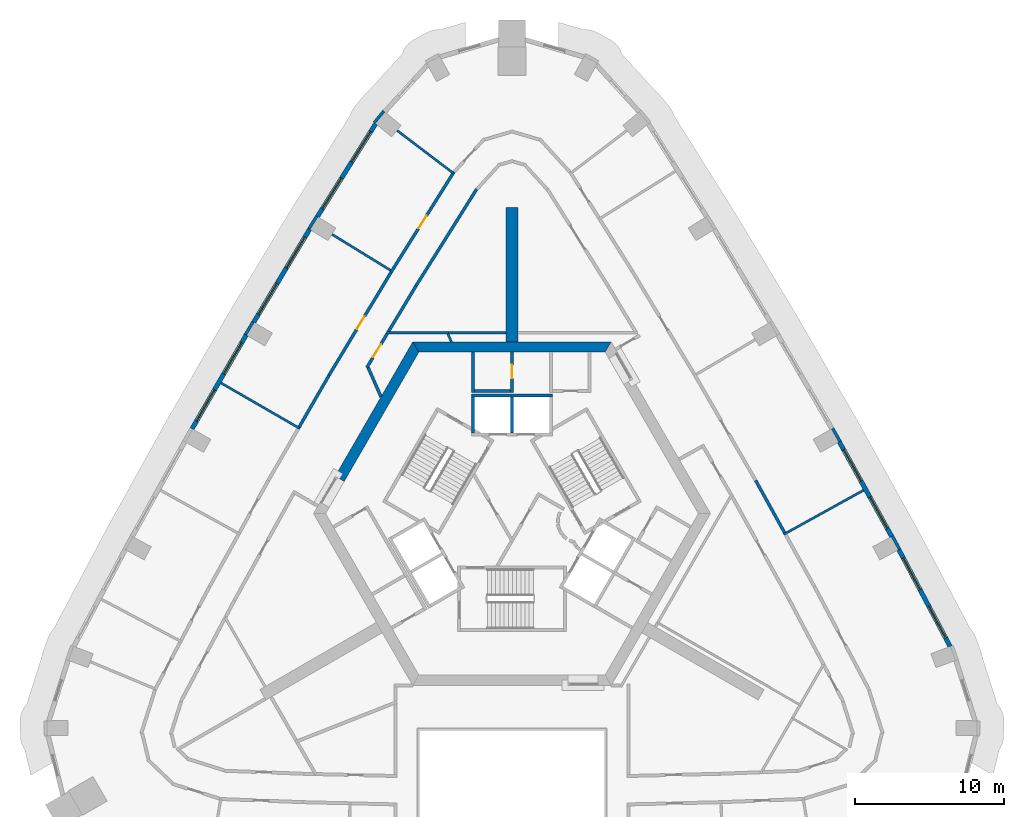
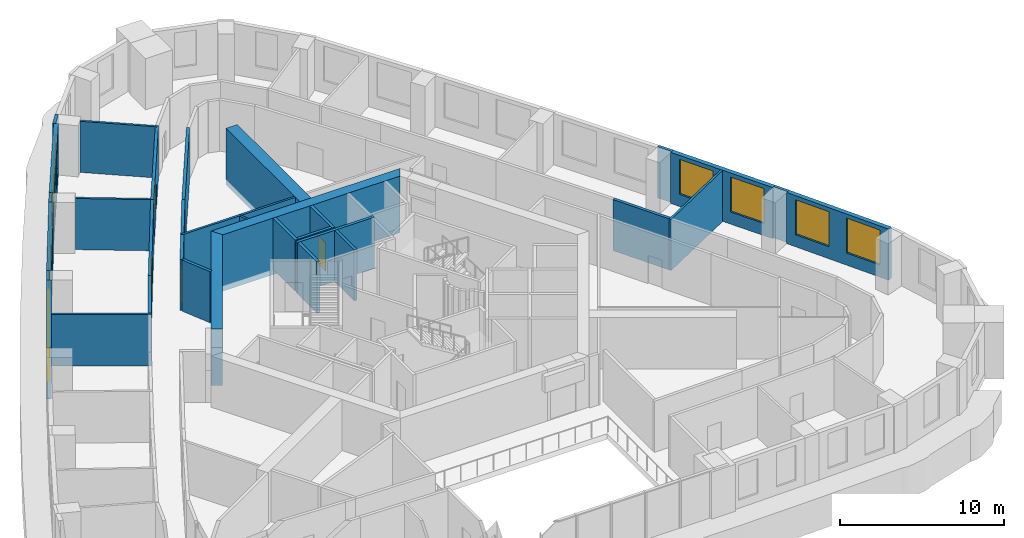
# One storey, part 8 of 13: 34 walls, 10 windows, 4 doors, 14 openings.
"""IFC4 building model written with IfcOpenShell, lengths in metres."""

from ifc_helpers import new_model, si_unit, direction, frame, frame_2d, origin, place, context, subcontext, project, spatial, polyline, rectangle, outline, extrude, material, layer, layer_set, type_object, element, fill, save


model = new_model("IFC4")

# Units and contexts
model_context = context("Model", 3, precision=1e-05, world=origin(), true_north=direction((0.0, 1.0)))
body_context = subcontext(model_context, "Body", "Model", "MODEL_VIEW")
ifc_project = project(units=[si_unit("LENGTHUNIT", "METRE"), si_unit("AREAUNIT", "SQUARE_METRE"), si_unit("VOLUMEUNIT", "CUBIC_METRE"), si_unit("PLANEANGLEUNIT", "RADIAN"), si_unit("MASSUNIT", "GRAM", prefix="KILO")], contexts=[model_context])

# Site, building, storey
site_placement = place(None, origin())
site = spatial("IfcSite", under=ifc_project, at=site_placement, CompositionType="ELEMENT")
building_placement = place(site_placement, origin())
building = spatial("IfcBuilding", under=site, at=building_placement, Name="Entoto Arch Interchange Tower", CompositionType="ELEMENT")
storey_placement = place(building_placement, frame((0.0, 0.0, 219.199951171875)))
storey = spatial("IfcBuildingStorey", under=building, at=storey_placement, Name="L49", CompositionType="ELEMENT", Elevation=219.199951171875)

# Walls
ifc_material_1 = material(Name="Concrete C50/60", Category="concrete")
ifc_layer_1 = layer(ifc_material_1, 0.800048828125)
ifc_layer_set_1 = layer_set([ifc_layer_1], Name="Concrete C50/60")
wall_type_1 = type_object("IfcWallType", Name="Buttress wall 800 C50/60", PredefinedType="SHEAR", material=ifc_layer_set_1)
wall_1_placement = place(storey_placement, frame((0.0, 14.0, -0.39990234375), z_axis=(0.0, 0.0, 1.0), x_axis=(0.0, 1.0, 0.0)))
element("IfcWall", 1, at=wall_1_placement, inside=storey, type_object=wall_type_1, Name="Buttress wall N L49", PredefinedType="SHEAR", context=body_context, shape_type="SweptSolid", body=[
    extrude(rectangle(XDim=9.0, YDim=0.800048828125, at=frame_2d((4.5, 0.0))), origin(), (0.0, 0.0, 1.0), 4.199951171875),
])
ifc_layer_2 = layer(ifc_material_1, 0.699951171875)
ifc_layer_set_2 = layer_set([ifc_layer_2], Name="Concrete C50/60")
wall_type_2 = type_object("IfcWallType", Name="Core wall 700 C50/60", PredefinedType="SHEAR", material=ifc_layer_set_2)
wall_2_placement = place(storey_placement, frame((0.0, 0.0, -0.39990234375)))
element("IfcWall", 2, at=wall_2_placement, inside=storey, type_object=wall_type_2, Name="Core wall N L49", PredefinedType="SHEAR", context=body_context, shape_type="SweptSolid", body=[
    extrude(outline(polyline([(6.639892578125, 14.0), (-6.639892578125, 14.0), (-6.235107421875, 13.300048828125), (6.235107421875, 13.300048828125), (6.639892578125, 14.0)])), origin(), (0.0, 0.0, 1.0), 4.199951171875),
])
wall_3_placement = place(storey_placement, frame((0.0, 0.0, -0.39990234375)))
element("IfcWall", 3, at=wall_3_placement, inside=storey, type_object=wall_type_2, Name="Core wall NW L49", PredefinedType="SHEAR", context=body_context, shape_type="SweptSolid", body=[
    extrude(outline(polyline([(-11.833984375, 5.001953125), (-11.22802734375, 4.652099609375), (-6.235107421875, 13.300048828125), (-6.639892578125, 14.0), (-11.833984375, 5.001953125)])), origin(), (0.0, 0.0, 1.0), 4.199951171875),
])
ifc_material_2 = material(Name="Concrete C40/50", Category="concrete")
ifc_layer_3 = layer(ifc_material_2, 0.199951171875)
ifc_layer_set_3 = layer_set([ifc_layer_3], Name="Concrete C40/50")
wall_type_3 = type_object("IfcWallType", Name="LIFT SHAFT WALL 200", PredefinedType="STANDARD", material=ifc_layer_set_3)
wall_4_placement = place(storey_placement, frame((2.699951171875, 10.39990234375, 0.0), z_axis=(0.0, 0.0, 1.0), x_axis=(-1.0, 0.0, 0.0)))
element("IfcWall", 4, at=wall_4_placement, inside=storey, type_object=wall_type_3, Name="Shaft wall N1 back", PredefinedType="STANDARD", context=body_context, shape_type="SweptSolid", body=[
    extrude(rectangle(XDim=5.39990234375, YDim=0.199951171875, at=frame_2d((2.699951171875, 0.0))), origin(), (0.0, 0.0, 1.0), 3.800048828125),
])
for number, where, z_axis, x_axis, name in (
    (5, (0.0, 7.89990234375, 0.0), (0.0, 0.0, 1.0), (0.0, 1.0, 0.0), "Shaft wall N1 cross 2"),
    (6, (-2.60009765625, 7.89990234375, 0.0), (0.0, 0.0, 1.0), (0.0, 1.0, 0.0), "Shaft wall N1 cross 3"),
):
    element("IfcWall", number, at=place(storey_placement, frame(where, z_axis=z_axis, x_axis=x_axis)), inside=storey, type_object=wall_type_3, Name=name, PredefinedType="STANDARD", context=body_context, shape_type="SweptSolid", body=[
        extrude(rectangle(XDim=2.400146484375, YDim=0.199951171875, at=frame_2d((1.2001953125, 0.0))), origin(), (0.0, 0.0, 1.0), 3.800048828125),
    ])
ifc_material_3 = material(Name="Gypsum board partition on steel studs", Category="steel")
ifc_layer_4 = layer(ifc_material_3, 0.14990234375)
ifc_layer_set_4 = layer_set([ifc_layer_4], Name="Gypsum board partition on steel studs")
wall_type_4 = type_object("IfcWallType", Name="PARTITION 150", PredefinedType="PARTITIONING", material=ifc_layer_set_4)
wall_5_placement = place(storey_placement, frame((-4.054931640625, 14.0, 0.0), z_axis=(0.0, 0.0, 1.0), x_axis=(-0.404850841056, 0.914382740703, 0.0)))
element("IfcWall", 7, at=wall_5_placement, inside=storey, type_object=wall_type_4, Name="wall:L49:p083", PredefinedType="PARTITIONING", context=body_context, shape_type="SweptSolid", body=[
    extrude(rectangle(XDim=0.580810546875, YDim=0.14990234375, at=frame_2d((0.29052734375, 0.0))), origin(), (0.0, 0.0, 1.0), 3.800048828125),
])
wall_6_placement = place(storey_placement, frame((-4.2451171875, 14.60009765625, 0.0), z_axis=(0.0, 0.0, 1.0), x_axis=(-1.0, 0.0, 0.0)))
element("IfcWall", 8, at=wall_6_placement, inside=storey, type_object=wall_type_4, Name="wall:L49:p085", PredefinedType="PARTITIONING", context=body_context, shape_type="SweptSolid", body=[
    extrude(rectangle(XDim=4.169921875, YDim=0.14990234375, at=frame_2d((2.0849609375, 0.0))), origin(), (0.0, 0.0, 1.0), 3.800048828125),
])
wall_7_placement = place(storey_placement, frame((18.18896484375, 1.111083984375, 0.0), z_axis=(0.0, 0.0, 1.0), x_axis=(0.874928335558, 0.484252421405, 0.0)))
element("IfcWall", 9, at=wall_7_placement, inside=storey, type_object=wall_type_4, Name="wall:L49:p119", PredefinedType="PARTITIONING", context=body_context, shape_type="SweptSolid", body=[
    extrude(rectangle(XDim=6.099853515625, YDim=0.14990234375, at=frame_2d((3.0498046875, 0.0))), origin(), (0.0, 0.0, 1.0), 3.800048828125),
])
wall_8_placement = place(storey_placement, frame((-3.93603515625, 25.285888671875, 0.0), z_axis=(0.0, 0.0, 1.0), x_axis=(-0.795977117067, 0.605326712698, 0.0)))
element("IfcWall", 10, at=wall_8_placement, inside=storey, type_object=wall_type_4, Name="wall:L49:p123", PredefinedType="PARTITIONING", context=body_context, shape_type="SweptSolid", body=[
    extrude(rectangle(XDim=4.70361328125, YDim=0.14990234375, at=frame_2d((2.351806640625, 0.0))), origin(), (0.0, 0.0, 1.0), 3.800048828125),
])
wall_9_placement = place(storey_placement, frame((-8.131103515625, 18.783935546875, 0.0), z_axis=(0.0, 0.0, 1.0), x_axis=(-0.851969320918, 0.52359170755, 0.0)))
element("IfcWall", 11, at=wall_9_placement, inside=storey, type_object=wall_type_4, Name="wall:L49:p124", PredefinedType="PARTITIONING", context=body_context, shape_type="SweptSolid", body=[
    extrude(rectangle(XDim=4.579833984375, YDim=0.14990234375, at=frame_2d((2.2900390625, 0.0))), origin(), (0.0, 0.0, 1.0), 3.800048828125),
])
wall_10_placement = place(storey_placement, frame((-14.18701171875, 8.18994140625, 0.0), z_axis=(0.0, 0.0, 1.0), x_axis=(-0.865990270311, 0.500060848024, 0.0)))
element("IfcWall", 12, at=wall_10_placement, inside=storey, type_object=wall_type_4, Name="wall:L49:p125", PredefinedType="PARTITIONING", context=body_context, shape_type="SweptSolid", body=[
    extrude(rectangle(XDim=6.099365234375, YDim=0.14990234375, at=frame_2d((3.0498046875, 0.0))), origin(), (0.0, 0.0, 1.0), 3.800048828125),
])
wall_11_placement = place(storey_placement, frame((-0.39990234375, 14.60009765625, 0.0), z_axis=(0.0, 0.0, 1.0), x_axis=(-1.0, 0.0, 0.0)))
element("IfcWall", 13, at=wall_11_placement, inside=storey, type_object=wall_type_4, Name="wall:L49:p084", PredefinedType="PARTITIONING", context=body_context, shape_type="SweptSolid", body=[
    extrude(rectangle(XDim=3.84521484375, YDim=0.14990234375, at=frame_2d((1.922607421875, 0.0))), origin(), (0.0, 0.0, 1.0), 3.800048828125),
])

# Wall, opening, door
ifc_layer_5 = layer(ifc_material_3, 0.199951171875)
ifc_layer_set_5 = layer_set([ifc_layer_5], Name="Gypsum board partition on steel studs")
wall_type_5 = type_object("IfcWallType", Name="PARTITION 200", PredefinedType="PARTITIONING", material=ifc_layer_set_5)
wall_12_placement = place(storey_placement, frame((-8.35302734375, 14.535888671875, 0.0), z_axis=(0.0, 0.0, 1.0), x_axis=(-0.515636196259, -0.856807628997, 0.0)))
wall_12 = element("IfcWall", 14, at=wall_12_placement, inside=storey, type_object=wall_type_5, Name="wall:L49:p002", PredefinedType="PARTITIONING", context=body_context, shape_type="SweptSolid", body=[
    extrude(rectangle(XDim=2.643310546875, YDim=0.199951171875, at=frame_2d((1.32177734375, 0.0))), origin(), (0.0, 0.0, 1.0), 3.800048828125),
])
opening_1_placement = place(wall_12_placement, frame((0.822021484375, 0.0, 0.0)))
opening_1 = element("IfcOpeningElement", 15, at=opening_1_placement, cuts=wall_12, Name="Opening L49-D26", PredefinedType="OPENING", context=body_context, shape_type="SweptSolid", body=[
    extrude(rectangle(XDim=1.0, YDim=2.10009765625, at=frame_2d((0.5, 1.050048828125))), frame((0.0, 0.10986328125, 0.0), z_axis=(0.0, -1.0, 0.0), x_axis=(1.0, 0.0, 0.0)), (0.0, 0.0, 1.0), 0.219970703125),
])
ifc_material_4 = material(Name="Timber door leaf in Steel S235 frame", Category="steel")
door_type_1 = type_object("IfcDoorType", Name="DOOR DS-10 1000x2100", OperationType="SINGLE_SWING_LEFT", PredefinedType="DOOR", material=ifc_material_4)
door_1_placement = place(opening_1_placement, origin())
door_1 = element("IfcDoor", 16, at=door_1_placement, inside=storey, type_object=door_type_1, Name="door:L49:26", OperationType="SINGLE_SWING_LEFT", OverallHeight=2.10009765625, OverallWidth=1.0, PredefinedType="DOOR", context=body_context, shape_type="SweptSolid", body=[
    extrude(rectangle(XDim=1.0, YDim=2.10009765625, at=frame_2d((0.5, 1.050048828125))), frame((0.0, 0.02490234375, 0.0), z_axis=(0.0, -1.0, 0.0), x_axis=(1.0, 0.0, 0.0)), (0.0, 0.0, 1.0), 0.050048828125),
])
fill(opening_1, door_1)

# Walls
wall_13_placement = place(storey_placement, frame((-9.6240234375, 12.264892578125, 0.0), z_axis=(0.0, 0.0, 1.0), x_axis=(0.404081180606, -0.914723127225, 0.0)))
element("IfcWall", 17, at=wall_13_placement, inside=storey, type_object=wall_type_5, Name="wall:L49:p003", PredefinedType="PARTITIONING", context=body_context, shape_type="SweptSolid", body=[
    extrude(rectangle(XDim=2.126220703125, YDim=0.199951171875, at=frame_2d((1.06298828125, 0.0))), origin(), (0.0, 0.0, 1.0), 3.800048828125),
])
wall_14_placement = place(storey_placement, frame((-2.364013671875, 24.216064453125, 0.0), z_axis=(0.0, 0.0, 1.0), x_axis=(-0.531335643981, -0.847161397512, 0.0)))
element("IfcWall", 18, at=wall_14_placement, inside=storey, type_object=wall_type_5, Name="wall:L49:p012", PredefinedType="PARTITIONING", context=body_context, shape_type="SweptSolid", body=[
    extrude(rectangle(XDim=7.646728515625, YDim=0.199951171875, at=frame_2d((3.8232421875, 0.0))), origin(), (0.0, 0.0, 1.0), 3.800048828125),
])
wall_15_placement = place(storey_placement, frame((-6.427001953125, 17.738037109375, 0.0), z_axis=(0.0, 0.0, 1.0), x_axis=(-0.515416266777, -0.85693994652, 0.0)))
element("IfcWall", 19, at=wall_15_placement, inside=storey, type_object=wall_type_5, Name="wall:L49:p013", PredefinedType="PARTITIONING", context=body_context, shape_type="SweptSolid", body=[
    extrude(rectangle(XDim=3.587158203125, YDim=0.199951171875, at=frame_2d((1.79345703125, 0.0))), origin(), (0.0, 0.0, 1.0), 3.800048828125),
])
wall_16_placement = place(storey_placement, frame((16.305908203125, 4.718017578125, 0.0), z_axis=(0.0, 0.0, 1.0), x_axis=(0.484411997038, -0.874839995156, 0.0)))
element("IfcWall", 20, at=wall_16_placement, inside=storey, type_object=wall_type_5, Name="wall:L49:p044", PredefinedType="PARTITIONING", context=body_context, shape_type="SweptSolid", body=[
    extrude(rectangle(XDim=3.99267578125, YDim=0.199951171875, at=frame_2d((1.996337890625, 0.0))), origin(), (0.0, 0.0, 1.0), 3.800048828125),
])

# Wall, opening, door
wall_17_placement = place(storey_placement, frame((-8.0859375, 18.6689453125, 0.0), z_axis=(0.0, 0.0, 1.0), x_axis=(0.531329962263, 0.847164961033, 0.0)))
wall_17 = element("IfcWall", 21, at=wall_17_placement, inside=storey, type_object=wall_type_5, Name="wall:L49:p052", PredefinedType="PARTITIONING", context=body_context, shape_type="SweptSolid", body=[
    extrude(rectangle(XDim=7.91015625, YDim=0.199951171875, at=frame_2d((3.955078125, 0.0))), origin(), (0.0, 0.0, 1.0), 3.800048828125),
])
opening_2_placement = place(wall_17_placement, frame((3.455078125, 0.0, 0.0)))
opening_2 = element("IfcOpeningElement", 22, at=opening_2_placement, cuts=wall_17, Name="Opening L49-D08", PredefinedType="OPENING", context=body_context, shape_type="SweptSolid", body=[
    extrude(rectangle(XDim=1.0, YDim=2.10009765625, at=frame_2d((0.5, 1.050048828125))), frame((0.0, 0.10986328125, 0.0), z_axis=(0.0, -1.0, 0.0), x_axis=(1.0, 0.0, 0.0)), (0.0, 0.0, 1.0), 0.219970703125),
])
door_2_placement = place(opening_2_placement, origin())
door_2 = element("IfcDoor", 23, at=door_2_placement, inside=storey, type_object=door_type_1, Name="door:L49:08", OperationType="SINGLE_SWING_RIGHT", OverallHeight=2.10009765625, OverallWidth=1.0, PredefinedType="DOOR", context=body_context, shape_type="SweptSolid", body=[
    extrude(rectangle(XDim=1.0, YDim=2.10009765625, at=frame_2d((0.5, 1.050048828125))), frame((0.0, 0.02490234375, 0.0), z_axis=(0.0, -1.0, 0.0), x_axis=(1.0, 0.0, 0.0)), (0.0, 0.0, 1.0), 0.050048828125),
])
fill(opening_2, door_2)

# Wall
wall_18_placement = place(storey_placement, frame((-14.236083984375, 8.304931640625, 0.0), z_axis=(0.0, 0.0, 1.0), x_axis=(0.500110539333, 0.865961574464, 0.0)))
element("IfcWall", 24, at=wall_18_placement, inside=storey, type_object=wall_type_5, Name="wall:L49:p053", PredefinedType="PARTITIONING", context=body_context, shape_type="SweptSolid", body=[
    extrude(rectangle(XDim=3.9931640625, YDim=0.199951171875, at=frame_2d((1.99658203125, 0.0))), origin(), (0.0, 0.0, 1.0), 3.800048828125),
])

# Wall, opening, door
wall_19_placement = place(storey_placement, frame((-12.239013671875, 11.762939453125, 0.0), z_axis=(0.0, 0.0, 1.0), x_axis=(0.515591302858, 0.856834644734, 0.0)))
wall_19 = element("IfcWall", 25, at=wall_19_placement, inside=storey, type_object=wall_type_5, Name="wall:L49:p054", PredefinedType="PARTITIONING", context=body_context, shape_type="SweptSolid", body=[
    extrude(rectangle(XDim=8.058837890625, YDim=0.199951171875, at=frame_2d((4.029296875, 0.0))), origin(), (0.0, 0.0, 1.0), 3.800048828125),
])
opening_3_placement = place(wall_19_placement, frame((3.60400390625, 0.0, 0.0)))
opening_3 = element("IfcOpeningElement", 26, at=opening_3_placement, cuts=wall_19, Name="Opening L49-D09", PredefinedType="OPENING", context=body_context, shape_type="SweptSolid", body=[
    extrude(rectangle(XDim=1.0, YDim=2.10009765625, at=frame_2d((0.5, 1.050048828125))), frame((0.0, 0.10986328125, 0.0), z_axis=(0.0, -1.0, 0.0), x_axis=(1.0, 0.0, 0.0)), (0.0, 0.0, 1.0), 0.219970703125),
])
door_3_placement = place(opening_3_placement, origin())
door_3 = element("IfcDoor", 27, at=door_3_placement, inside=storey, type_object=door_type_1, Name="door:L49:09", OperationType="SINGLE_SWING_RIGHT", OverallHeight=2.10009765625, OverallWidth=1.0, PredefinedType="DOOR", context=body_context, shape_type="SweptSolid", body=[
    extrude(rectangle(XDim=1.0, YDim=2.10009765625, at=frame_2d((0.5, 1.050048828125))), frame((0.0, 0.02490234375, 0.0), z_axis=(0.0, -1.0, 0.0), x_axis=(1.0, 0.0, 0.0)), (0.0, 0.0, 1.0), 0.050048828125),
])
fill(opening_3, door_3)

wall_20_placement = place(storey_placement, frame((0.0, 13.300048828125, 0.0), z_axis=(0.0, 0.0, 1.0), x_axis=(0.0, -1.0, 0.0)))
wall_20 = element("IfcWall", 28, at=wall_20_placement, inside=storey, type_object=wall_type_5, Name="wall:L49:p070", PredefinedType="PARTITIONING", context=body_context, shape_type="SweptSolid", body=[
    extrude(rectangle(XDim=2.699951171875, YDim=0.199951171875, at=frame_2d((1.35009765625, 0.0))), origin(), (0.0, 0.0, 1.0), 3.800048828125),
])
opening_4_placement = place(wall_20_placement, frame((0.85009765625, 0.0, 0.0)))
opening_4 = element("IfcOpeningElement", 29, at=opening_4_placement, cuts=wall_20, Name="Opening L49-D31", PredefinedType="OPENING", context=body_context, shape_type="SweptSolid", body=[
    extrude(rectangle(XDim=0.89990234375, YDim=2.10009765625, at=frame_2d((0.449951171875, 1.050048828125))), frame((0.0, 0.10986328125, 0.0), z_axis=(0.0, -1.0, 0.0), x_axis=(1.0, 0.0, 0.0)), (0.0, 0.0, 1.0), 0.219970703125),
])
door_type_2 = type_object("IfcDoorType", Name="DOOR DS-09 900x2100", OperationType="SINGLE_SWING_LEFT", PredefinedType="DOOR", material=ifc_material_4)
door_4_placement = place(opening_4_placement, origin())
door_4 = element("IfcDoor", 30, at=door_4_placement, inside=storey, type_object=door_type_2, Name="door:L49:31", OperationType="SINGLE_SWING_RIGHT", OverallHeight=2.10009765625, OverallWidth=0.89990234375, PredefinedType="DOOR", context=body_context, shape_type="SweptSolid", body=[
    extrude(rectangle(XDim=0.89990234375, YDim=2.10009765625, at=frame_2d((0.449951171875, 1.050048828125))), frame((0.0, 0.02490234375, 0.0), z_axis=(0.0, -1.0, 0.0), x_axis=(1.0, 0.0, 0.0)), (0.0, 0.0, 1.0), 0.050048828125),
])
fill(opening_4, door_4)

# Walls
wall_21_placement = place(storey_placement, frame((-0.10009765625, 10.699951171875, 0.0), z_axis=(0.0, 0.0, 1.0), x_axis=(-1.0, 0.0, 0.0)))
element("IfcWall", 31, at=wall_21_placement, inside=storey, type_object=wall_type_5, Name="wall:L49:p071", PredefinedType="PARTITIONING", context=body_context, shape_type="SweptSolid", body=[
    extrude(rectangle(XDim=2.39990234375, YDim=0.199951171875, at=frame_2d((1.199951171875, 0.0))), origin(), (0.0, 0.0, 1.0), 3.800048828125),
])
wall_22_placement = place(storey_placement, frame((-2.60009765625, 10.60009765625, 0.0), z_axis=(0.0, 0.0, 1.0), x_axis=(0.0, 1.0, 0.0)))
element("IfcWall", 32, at=wall_22_placement, inside=storey, type_object=wall_type_5, Name="wall:L49:p072", PredefinedType="PARTITIONING", context=body_context, shape_type="SweptSolid", body=[
    extrude(rectangle(XDim=2.699951171875, YDim=0.199951171875, at=frame_2d((1.35009765625, 0.0))), origin(), (0.0, 0.0, 1.0), 3.800048828125),
])

# Wall, openings, windows
ifc_material_5 = material(Name="Welded tuff (ignimbrite) cladding, warm buff", Category="masonry")
ifc_layer_6 = layer(ifc_material_5, 0.300048828125)
ifc_layer_set_6 = layer_set([ifc_layer_6], Name="Welded tuff (ignimbrite) cladding, warm buff")
wall_type_6 = type_object("IfcWallType", Name="STONE INFILL WALL 300", PredefinedType="STANDARD", material=ifc_layer_set_6)
wall_23_placement = place(storey_placement, frame((29.322021484375, -6.39599609375, 0.0), z_axis=(0.0, 0.0, 1.0), x_axis=(-0.468020680141, 0.8837175131, 0.0)))
wall_23 = element("IfcWall", 33, at=wall_23_placement, inside=storey, type_object=wall_type_6, Name="Facade wall NE-01 L49", PredefinedType="STANDARD", context=body_context, shape_type="SweptSolid", body=[
    extrude(rectangle(XDim=7.339599609375, YDim=0.300048828125, at=frame_2d((3.669921875, 0.0))), origin(), (0.0, 0.0, 1.0), 3.800048828125),
])
opening_5_placement = place(wall_23_placement, frame((0.635009765625, 0.0, 0.89990234375)))
opening_5 = element("IfcOpeningElement", 34, at=opening_5_placement, cuts=wall_23, Name="Opening WO-A", PredefinedType="OPENING", context=body_context, shape_type="SweptSolid", body=[
    extrude(rectangle(XDim=2.39990234375, YDim=2.60009765625, at=frame_2d((1.199951171875, 1.300048828125))), frame((0.0, 0.16015625, 0.0), z_axis=(0.0, -1.0, 0.0), x_axis=(1.0, 0.0, 0.0)), (0.0, 0.0, 1.0), 0.320068359375),
])
opening_6_placement = place(wall_23_placement, frame((4.304931640625, 0.0, 0.89990234375)))
opening_6 = element("IfcOpeningElement", 35, at=opening_6_placement, cuts=wall_23, Name="Opening WO-A", PredefinedType="OPENING", context=body_context, shape_type="SweptSolid", body=[
    extrude(rectangle(XDim=2.39990234375, YDim=2.60009765625, at=frame_2d((1.199951171875, 1.300048828125))), frame((0.0, 0.16015625, 0.0), z_axis=(0.0, -1.0, 0.0), x_axis=(1.0, 0.0, 0.0)), (0.0, 0.0, 1.0), 0.320068359375),
])
ifc_material_6 = material(Name="Clear glass, low-e double glazed", Category="glass")
window_type = type_object("IfcWindowType", Name="WINDOW WO-A 2400x2600", PartitioningType="DOUBLE_PANEL_VERTICAL", PredefinedType="WINDOW", material=ifc_material_6)
window_1_placement = place(opening_5_placement, origin())
window_1 = element("IfcWindow", 36, at=window_1_placement, inside=storey, type_object=window_type, Name="Window WO-A NE-01 L49", OverallHeight=2.60009765625, OverallWidth=2.39990234375, PartitioningType="SINGLE_PANEL", PredefinedType="WINDOW", context=body_context, shape_type="SweptSolid", body=[
    extrude(rectangle(XDim=2.39990234375, YDim=2.60009765625, at=frame_2d((1.199951171875, 1.300048828125))), frame((0.0, 0.030029296875, 0.0), z_axis=(0.0, -1.0, 0.0), x_axis=(1.0, 0.0, 0.0)), (0.0, 0.0, 1.0), 0.06005859375),
])
fill(opening_5, window_1)
window_2_placement = place(opening_6_placement, origin())
window_2 = element("IfcWindow", 37, at=window_2_placement, inside=storey, type_object=window_type, Name="Window WO-A NE-01 L49", OverallHeight=2.60009765625, OverallWidth=2.39990234375, PartitioningType="SINGLE_PANEL", PredefinedType="WINDOW", context=body_context, shape_type="SweptSolid", body=[
    extrude(rectangle(XDim=2.39990234375, YDim=2.60009765625, at=frame_2d((1.199951171875, 1.300048828125))), frame((0.0, 0.030029296875, 0.0), z_axis=(0.0, -1.0, 0.0), x_axis=(1.0, 0.0, 0.0)), (0.0, 0.0, 1.0), 0.06005859375),
])
fill(opening_6, window_2)

wall_24_placement = place(storey_placement, frame((25.410888671875, 0.968017578125, 0.0), z_axis=(0.0, 0.0, 1.0), x_axis=(-0.484163461668, 0.87497756679, 0.0)))
wall_24 = element("IfcWall", 38, at=wall_24_placement, inside=storey, type_object=wall_type_6, Name="Facade wall NE-02 L49", PredefinedType="STANDARD", context=body_context, shape_type="SweptSolid", body=[
    extrude(rectangle(XDim=7.2470703125, YDim=0.300048828125, at=frame_2d((3.62353515625, 0.0))), origin(), (0.0, 0.0, 1.0), 3.800048828125),
])
opening_7_placement = place(wall_24_placement, frame((0.612060546875, 0.0, 0.89990234375)))
opening_7 = element("IfcOpeningElement", 39, at=opening_7_placement, cuts=wall_24, Name="Opening WO-A", PredefinedType="OPENING", context=body_context, shape_type="SweptSolid", body=[
    extrude(rectangle(XDim=2.39990234375, YDim=2.60009765625, at=frame_2d((1.199951171875, 1.300048828125))), frame((0.0, 0.16015625, 0.0), z_axis=(0.0, -1.0, 0.0), x_axis=(1.0, 0.0, 0.0)), (0.0, 0.0, 1.0), 0.320068359375),
])
opening_8_placement = place(wall_24_placement, frame((4.235107421875, 0.0, 0.89990234375)))
opening_8 = element("IfcOpeningElement", 40, at=opening_8_placement, cuts=wall_24, Name="Opening WO-A", PredefinedType="OPENING", context=body_context, shape_type="SweptSolid", body=[
    extrude(rectangle(XDim=2.39990234375, YDim=2.60009765625, at=frame_2d((1.199951171875, 1.300048828125))), frame((0.0, 0.16015625, 0.0), z_axis=(0.0, -1.0, 0.0), x_axis=(1.0, 0.0, 0.0)), (0.0, 0.0, 1.0), 0.320068359375),
])
window_3_placement = place(opening_7_placement, origin())
window_3 = element("IfcWindow", 41, at=window_3_placement, inside=storey, type_object=window_type, Name="Window WO-A NE-02 L49", OverallHeight=2.60009765625, OverallWidth=2.39990234375, PartitioningType="SINGLE_PANEL", PredefinedType="WINDOW", context=body_context, shape_type="SweptSolid", body=[
    extrude(rectangle(XDim=2.39990234375, YDim=2.60009765625, at=frame_2d((1.199951171875, 1.300048828125))), frame((0.0, 0.030029296875, 0.0), z_axis=(0.0, -1.0, 0.0), x_axis=(1.0, 0.0, 0.0)), (0.0, 0.0, 1.0), 0.06005859375),
])
fill(opening_7, window_3)
window_4_placement = place(opening_8_placement, origin())
window_4 = element("IfcWindow", 42, at=window_4_placement, inside=storey, type_object=window_type, Name="Window WO-A NE-02 L49", OverallHeight=2.60009765625, OverallWidth=2.39990234375, PartitioningType="SINGLE_PANEL", PredefinedType="WINDOW", context=body_context, shape_type="SweptSolid", body=[
    extrude(rectangle(XDim=2.39990234375, YDim=2.60009765625, at=frame_2d((1.199951171875, 1.300048828125))), frame((0.0, 0.030029296875, 0.0), z_axis=(0.0, -1.0, 0.0), x_axis=(1.0, 0.0, 0.0)), (0.0, 0.0, 1.0), 0.06005859375),
])
fill(opening_8, window_4)

wall_25_placement = place(storey_placement, frame((-9.1220703125, 28.592041015625, 0.0), z_axis=(0.0, 0.0, 1.0), x_axis=(-0.531239262679, -0.847221839773, 0.0)))
wall_25 = element("IfcWall", 43, at=wall_25_placement, inside=storey, type_object=wall_type_6, Name="Facade wall NW-01 L49", PredefinedType="STANDARD", context=body_context, shape_type="SweptSolid", body=[
    extrude(rectangle(XDim=7.33935546875, YDim=0.300048828125, at=frame_2d((3.669677734375, 0.0))), origin(), (0.0, 0.0, 1.0), 3.800048828125),
])
opening_9_placement = place(wall_25_placement, frame((0.635009765625, 0.0, 0.89990234375)))
opening_9 = element("IfcOpeningElement", 44, at=opening_9_placement, cuts=wall_25, Name="Opening WO-A", PredefinedType="OPENING", context=body_context, shape_type="SweptSolid", body=[
    extrude(rectangle(XDim=2.39990234375, YDim=2.60009765625, at=frame_2d((1.199951171875, 1.300048828125))), frame((0.0, 0.16015625, 0.0), z_axis=(0.0, -1.0, 0.0), x_axis=(1.0, 0.0, 0.0)), (0.0, 0.0, 1.0), 0.320068359375),
])
opening_10_placement = place(wall_25_placement, frame((4.303955078125, 0.0, 0.89990234375)))
opening_10 = element("IfcOpeningElement", 45, at=opening_10_placement, cuts=wall_25, Name="Opening WO-A", PredefinedType="OPENING", context=body_context, shape_type="SweptSolid", body=[
    extrude(rectangle(XDim=2.39990234375, YDim=2.60009765625, at=frame_2d((1.199951171875, 1.300048828125))), frame((0.0, 0.16015625, 0.0), z_axis=(0.0, -1.0, 0.0), x_axis=(1.0, 0.0, 0.0)), (0.0, 0.0, 1.0), 0.320068359375),
])
window_5_placement = place(opening_9_placement, origin())
window_5 = element("IfcWindow", 46, at=window_5_placement, inside=storey, type_object=window_type, Name="Window WO-A NW-01 L49", OverallHeight=2.60009765625, OverallWidth=2.39990234375, PartitioningType="SINGLE_PANEL", PredefinedType="WINDOW", context=body_context, shape_type="SweptSolid", body=[
    extrude(rectangle(XDim=2.39990234375, YDim=2.60009765625, at=frame_2d((1.199951171875, 1.300048828125))), frame((0.0, 0.030029296875, 0.0), z_axis=(0.0, -1.0, 0.0), x_axis=(1.0, 0.0, 0.0)), (0.0, 0.0, 1.0), 0.06005859375),
])
fill(opening_9, window_5)
window_6_placement = place(opening_10_placement, origin())
window_6 = element("IfcWindow", 47, at=window_6_placement, inside=storey, type_object=window_type, Name="Window WO-A NW-01 L49", OverallHeight=2.60009765625, OverallWidth=2.39990234375, PartitioningType="SINGLE_PANEL", PredefinedType="WINDOW", context=body_context, shape_type="SweptSolid", body=[
    extrude(rectangle(XDim=2.39990234375, YDim=2.60009765625, at=frame_2d((1.199951171875, 1.300048828125))), frame((0.0, 0.030029296875, 0.0), z_axis=(0.0, -1.0, 0.0), x_axis=(1.0, 0.0, 0.0)), (0.0, 0.0, 1.0), 0.06005859375),
])
fill(opening_10, window_6)

wall_26_placement = place(storey_placement, frame((-13.5439453125, 21.52392578125, 0.0), z_axis=(0.0, 0.0, 1.0), x_axis=(-0.515560283412, -0.856853309597, 0.0)))
wall_26 = element("IfcWall", 48, at=wall_26_placement, inside=storey, type_object=wall_type_6, Name="Facade wall NW-02 L49", PredefinedType="STANDARD", context=body_context, shape_type="SweptSolid", body=[
    extrude(rectangle(XDim=7.24853515625, YDim=0.300048828125, at=frame_2d((3.624267578125, 0.0))), origin(), (0.0, 0.0, 1.0), 3.800048828125),
])
opening_11_placement = place(wall_26_placement, frame((0.612060546875, 0.0, 0.89990234375)))
opening_11 = element("IfcOpeningElement", 49, at=opening_11_placement, cuts=wall_26, Name="Opening WO-A", PredefinedType="OPENING", context=body_context, shape_type="SweptSolid", body=[
    extrude(rectangle(XDim=2.39990234375, YDim=2.60009765625, at=frame_2d((1.199951171875, 1.300048828125))), frame((0.0, 0.16015625, 0.0), z_axis=(0.0, -1.0, 0.0), x_axis=(1.0, 0.0, 0.0)), (0.0, 0.0, 1.0), 0.320068359375),
])
opening_12_placement = place(wall_26_placement, frame((4.236083984375, 0.0, 0.89990234375)))
opening_12 = element("IfcOpeningElement", 50, at=opening_12_placement, cuts=wall_26, Name="Opening WO-A", PredefinedType="OPENING", context=body_context, shape_type="SweptSolid", body=[
    extrude(rectangle(XDim=2.39990234375, YDim=2.60009765625, at=frame_2d((1.199951171875, 1.300048828125))), frame((0.0, 0.16015625, 0.0), z_axis=(0.0, -1.0, 0.0), x_axis=(1.0, 0.0, 0.0)), (0.0, 0.0, 1.0), 0.320068359375),
])
window_7_placement = place(opening_11_placement, origin())
window_7 = element("IfcWindow", 51, at=window_7_placement, inside=storey, type_object=window_type, Name="Window WO-A NW-02 L49", OverallHeight=2.60009765625, OverallWidth=2.39990234375, PartitioningType="SINGLE_PANEL", PredefinedType="WINDOW", context=body_context, shape_type="SweptSolid", body=[
    extrude(rectangle(XDim=2.39990234375, YDim=2.60009765625, at=frame_2d((1.199951171875, 1.300048828125))), frame((0.0, 0.030029296875, 0.0), z_axis=(0.0, -1.0, 0.0), x_axis=(1.0, 0.0, 0.0)), (0.0, 0.0, 1.0), 0.06005859375),
])
fill(opening_11, window_7)
window_8_placement = place(opening_12_placement, origin())
window_8 = element("IfcWindow", 52, at=window_8_placement, inside=storey, type_object=window_type, Name="Window WO-A NW-02 L49", OverallHeight=2.60009765625, OverallWidth=2.39990234375, PartitioningType="SINGLE_PANEL", PredefinedType="WINDOW", context=body_context, shape_type="SweptSolid", body=[
    extrude(rectangle(XDim=2.39990234375, YDim=2.60009765625, at=frame_2d((1.199951171875, 1.300048828125))), frame((0.0, 0.030029296875, 0.0), z_axis=(0.0, -1.0, 0.0), x_axis=(1.0, 0.0, 0.0)), (0.0, 0.0, 1.0), 0.06005859375),
])
fill(opening_12, window_8)

wall_27_placement = place(storey_placement, frame((-17.787109375, 14.4541015625, 0.0), z_axis=(0.0, 0.0, 1.0), x_axis=(-0.499968351115, -0.866043675505, 0.0)))
wall_27 = element("IfcWall", 53, at=wall_27_placement, inside=storey, type_object=wall_type_6, Name="Facade wall NW-03 L49", PredefinedType="STANDARD", context=body_context, shape_type="SweptSolid", body=[
    extrude(rectangle(XDim=7.248046875, YDim=0.300048828125, at=frame_2d((3.6240234375, 0.0))), origin(), (0.0, 0.0, 1.0), 3.800048828125),
])
opening_13_placement = place(wall_27_placement, frame((0.612060546875, 0.0, 0.89990234375)))
opening_13 = element("IfcOpeningElement", 54, at=opening_13_placement, cuts=wall_27, Name="Opening WO-A", PredefinedType="OPENING", context=body_context, shape_type="SweptSolid", body=[
    extrude(rectangle(XDim=2.39990234375, YDim=2.60009765625, at=frame_2d((1.199951171875, 1.300048828125))), frame((0.0, 0.16015625, 0.0), z_axis=(0.0, -1.0, 0.0), x_axis=(1.0, 0.0, 0.0)), (0.0, 0.0, 1.0), 0.320068359375),
])
opening_14_placement = place(wall_27_placement, frame((4.236083984375, 0.0, 0.89990234375)))
opening_14 = element("IfcOpeningElement", 55, at=opening_14_placement, cuts=wall_27, Name="Opening WO-A", PredefinedType="OPENING", context=body_context, shape_type="SweptSolid", body=[
    extrude(rectangle(XDim=2.39990234375, YDim=2.60009765625, at=frame_2d((1.199951171875, 1.300048828125))), frame((0.0, 0.16015625, 0.0), z_axis=(0.0, -1.0, 0.0), x_axis=(1.0, 0.0, 0.0)), (0.0, 0.0, 1.0), 0.320068359375),
])
window_9_placement = place(opening_13_placement, origin())
window_9 = element("IfcWindow", 56, at=window_9_placement, inside=storey, type_object=window_type, Name="Window WO-A NW-03 L49", OverallHeight=2.60009765625, OverallWidth=2.39990234375, PartitioningType="SINGLE_PANEL", PredefinedType="WINDOW", context=body_context, shape_type="SweptSolid", body=[
    extrude(rectangle(XDim=2.39990234375, YDim=2.60009765625, at=frame_2d((1.199951171875, 1.300048828125))), frame((0.0, 0.030029296875, 0.0), z_axis=(0.0, -1.0, 0.0), x_axis=(1.0, 0.0, 0.0)), (0.0, 0.0, 1.0), 0.06005859375),
])
fill(opening_13, window_9)
window_10_placement = place(opening_14_placement, origin())
window_10 = element("IfcWindow", 57, at=window_10_placement, inside=storey, type_object=window_type, Name="Window WO-A NW-03 L49", OverallHeight=2.60009765625, OverallWidth=2.39990234375, PartitioningType="SINGLE_PANEL", PredefinedType="WINDOW", context=body_context, shape_type="SweptSolid", body=[
    extrude(rectangle(XDim=2.39990234375, YDim=2.60009765625, at=frame_2d((1.199951171875, 1.300048828125))), frame((0.0, 0.030029296875, 0.0), z_axis=(0.0, -1.0, 0.0), x_axis=(1.0, 0.0, 0.0)), (0.0, 0.0, 1.0), 0.06005859375),
])
fill(opening_14, window_10)

# Walls
ifc_layer_7 = layer(ifc_material_5, 0.199951171875)
ifc_layer_set_7 = layer_set([ifc_layer_7], Name="Welded tuff (ignimbrite) cladding, warm buff")
wall_type_7 = type_object("IfcWallType", Name="STONE PIER CLADDING 200", PredefinedType="STANDARD", material=ifc_layer_set_7)
for number, where, z_axis, x_axis, name in (
    (58, (25.93408203125, 0.114013671875, 0.0), (0.0, 0.0, 1.0), (-0.473852444207, 0.880604259085, 0.0), "Stone pier NE02 L49"),
    (59, (21.949951171875, 7.333984375, 0.0), (0.0, 0.0, 1.0), (-0.491743606947, 0.87074004446, 0.0), "Stone pier NE03 L49"),
):
    element("IfcWall", number, at=place(storey_placement, frame(where, z_axis=z_axis, x_axis=x_axis)), inside=storey, type_object=wall_type_7, Name=name, PredefinedType="STANDARD", context=body_context, shape_type="SweptSolid", body=[
        extrude(rectangle(XDim=1.00048828125, YDim=0.199951171875, at=frame_2d((0.500244140625, 0.0))), origin(), (0.0, 0.0, 1.0), 3.800048828125),
    ])
wall_28_placement = place(storey_placement, frame((-8.574951171875, 29.43603515625, 0.0), z_axis=(0.0, 0.0, 1.0), x_axis=(-0.637972365578, -0.770059257953, 0.0)))
element("IfcWall", 60, at=wall_28_placement, inside=storey, type_object=wall_type_7, Name="Stone pier NW01 L49", PredefinedType="STANDARD", context=body_context, shape_type="SweptSolid", body=[
    extrude(rectangle(XDim=1.0, YDim=0.199951171875, at=frame_2d((0.5, 0.0))), origin(), (0.0, 0.0, 1.0), 3.800048828125),
])
wall_29_placement = place(storey_placement, frame((-13.06591796875, 22.403076171875, 0.0), z_axis=(0.0, 0.0, 1.0), x_axis=(-0.525825307325, -0.850592585306, 0.0)))
element("IfcWall", 61, at=wall_29_placement, inside=storey, type_object=wall_type_7, Name="Stone pier NW02 L49", PredefinedType="STANDARD", context=body_context, shape_type="SweptSolid", body=[
    extrude(rectangle(XDim=1.00048828125, YDim=0.199951171875, at=frame_2d((0.500244140625, 0.0))), origin(), (0.0, 0.0, 1.0), 3.800048828125),
])
wall_30_placement = place(storey_placement, frame((-17.326904296875, 15.342041015625, 0.0), z_axis=(0.0, 0.0, 1.0), x_axis=(-0.508161541526, -0.861261776531, 0.0)))
element("IfcWall", 62, at=wall_30_placement, inside=storey, type_object=wall_type_7, Name="Stone pier NW03 L49", PredefinedType="STANDARD", context=body_context, shape_type="SweptSolid", body=[
    extrude(rectangle(XDim=0.999755859375, YDim=0.199951171875, at=frame_2d((0.5, 0.0))), origin(), (0.0, 0.0, 1.0), 3.800048828125),
])

save(model, "model.ifc")
